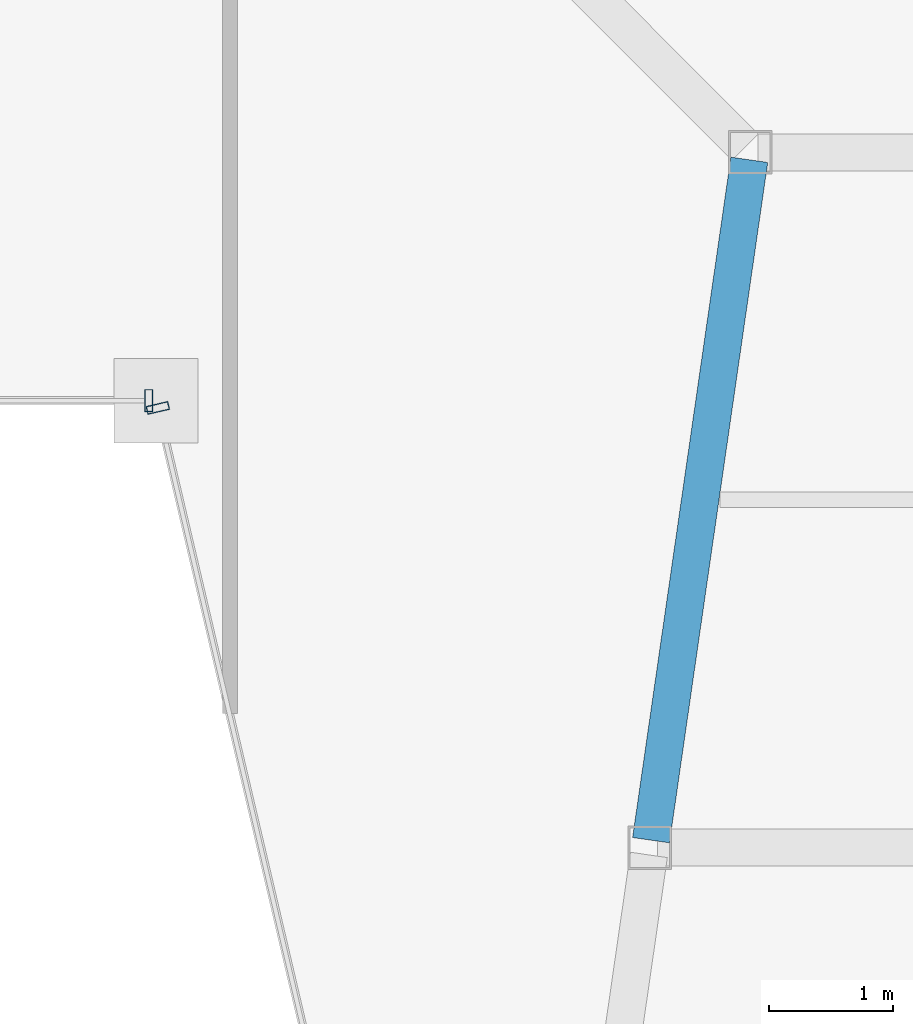
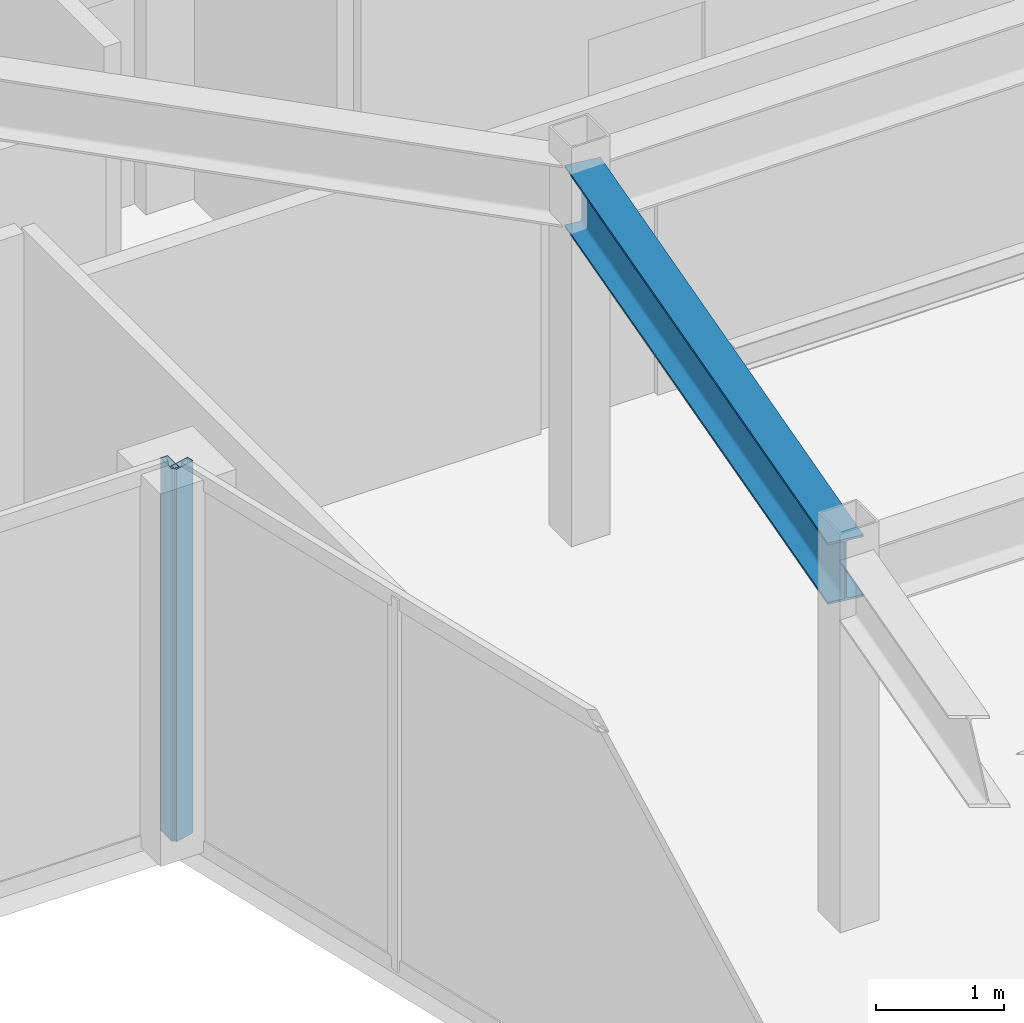
# One storey, part 15 of 32: 2 members, 1 beam, 2 elements without a shape of their own.
"""IFC4 building model written with IfcOpenShell, lengths in metres."""

from ifc_helpers import new_model, si_unit, direction, frame, origin, origin_2d, place, context, subcontext, project, spatial, hollow_rectangle, i_section, extrude, material, material_profile, profile_set, type_object, element, aggregate, save


model = new_model("IFC4")

# Units and contexts
model_context = context("Model", 3, precision=1e-05, world=origin(), true_north=direction((0.0, 1.0)))
body_context = subcontext(model_context, "Body", "Model", "MODEL_VIEW")
ifc_project = project(units=[si_unit("LENGTHUNIT", "METRE"), si_unit("AREAUNIT", "SQUARE_METRE"), si_unit("VOLUMEUNIT", "CUBIC_METRE"), si_unit("PLANEANGLEUNIT", "RADIAN"), si_unit("MASSUNIT", "GRAM", prefix="KILO")], contexts=[model_context])

# Site, building, storey
site_placement = place(None, origin())
site = spatial("IfcSite", under=ifc_project, at=site_placement, CompositionType="ELEMENT")
building_placement = place(site_placement, origin())
building = spatial("IfcBuilding", under=site, at=building_placement, Name="Saevonmaru Cultural Tower", CompositionType="ELEMENT")
storey_placement = place(building_placement, frame((0.0, 0.0, 264.800048828125)))
storey = spatial("IfcBuildingStorey", under=building, at=storey_placement, Name="L62", CompositionType="ELEMENT", Elevation=264.800048828125)

# Beam
ifc_material_1 = material(Name="Steel SM355", Category="steel")
ifc_material_profile_1 = material_profile(ifc_material_1, i_section(OverallWidth=0.300048828125, OverallDepth=0.587890625, WebThickness=0.011962890625, FlangeThickness=0.02001953125, FilletRadius=0.02392578125, at=origin_2d()), Name="H-588x300x12x20")
ifc_profile_set_1 = profile_set([ifc_material_profile_1], Name="Steel SM355")
beam_type = type_object("IfcBeamType", Name="BM-G-H588", PredefinedType="BEAM", material=ifc_profile_set_1)
beam_placement = place(storey_placement, frame((40.3916015625, 32.059326171875, 3.255859375), z_axis=(0.142964121327, 0.989727871697, 0.0), x_axis=(-0.989727871697, 0.142964121327, 0.0)))
element("IfcBeam", 1, at=beam_placement, inside=storey, type_object=beam_type, Name="L62 East Atrium Girder 2", PredefinedType="BEAM", context=body_context, shape_type="SweptSolid", body=[
    extrude(i_section(OverallWidth=0.300048828125, OverallDepth=0.587890625, WebThickness=0.011962890625, FlangeThickness=0.02001953125, FilletRadius=0.02392578125, at=origin_2d()), origin(), (0.0, 0.0, 1.0), 5.5380859375),
])

# Curtain wall, member
ifc_material_2 = material(Name="Satin Bronze Anodised Aluminium", Category="aluminium")
curtain_wall_type = type_object("IfcCurtainWallType", Name="CW-TYP-B", PredefinedType="NOTDEFINED", material=ifc_material_2)
curtain_wall_1_placement = place(storey_placement, origin())
curtain_wall_1 = element("IfcCurtainWall", 2, at=curtain_wall_1_placement, inside=storey, type_object=curtain_wall_type, Name="L62 Unitised Curtain Wall E4", PredefinedType="NOTDEFINED")
ifc_material_profile_2 = material_profile(ifc_material_2, hollow_rectangle(XDim=0.06494140625, YDim=0.179931640625, WallThickness=0.00390625, at=origin_2d()), Name="ALU-MULL-180x65x4")
ifc_profile_set_2 = profile_set([ifc_material_profile_2], Name="Satin Bronze Anodised Aluminium")
member_type = type_object("IfcMemberType", Name="ML-CW-180x65", PredefinedType="MULLION", material=ifc_profile_set_2)
member_1_placement = place(storey_placement, frame((36.344482421875, 35.60009765625, 0.0), z_axis=(0.0, 0.0, 1.0), x_axis=(1.0, 0.0, 0.0)))
member_1 = element("IfcMember", 3, at=member_1_placement, type_object=member_type, Name="CW-TW-L62-E4 mullion 2", PredefinedType="MULLION", context=body_context, shape_type="SweptSolid", body=[
    extrude(hollow_rectangle(XDim=0.06494140625, YDim=0.179931640625, WallThickness=0.00390625, at=origin_2d()), origin(), (0.0, 0.0, 1.0), 3.550048828125),
])
aggregate(curtain_wall_1, [member_1])

curtain_wall_2_placement = place(storey_placement, origin())
curtain_wall_2 = element("IfcCurtainWall", 4, at=curtain_wall_2_placement, inside=storey, type_object=curtain_wall_type, Name="L62 Unitised Curtain Wall E5", PredefinedType="NOTDEFINED")
member_2_placement = place(storey_placement, frame((36.418212890625, 35.54150390625, 0.0), z_axis=(0.0, 0.0, 1.0), x_axis=(0.228189509449, -0.973616735568, 0.0)))
member_2 = element("IfcMember", 5, at=member_2_placement, type_object=member_type, Name="CW-TW-L62-E5 mullion 1", PredefinedType="MULLION", context=body_context, shape_type="SweptSolid", body=[
    extrude(hollow_rectangle(XDim=0.06494140625, YDim=0.179931640625, WallThickness=0.00390625, at=origin_2d()), origin(), (0.0, 0.0, 1.0), 3.550048828125),
])
aggregate(curtain_wall_2, [member_2])

save(model, "model.ifc")
